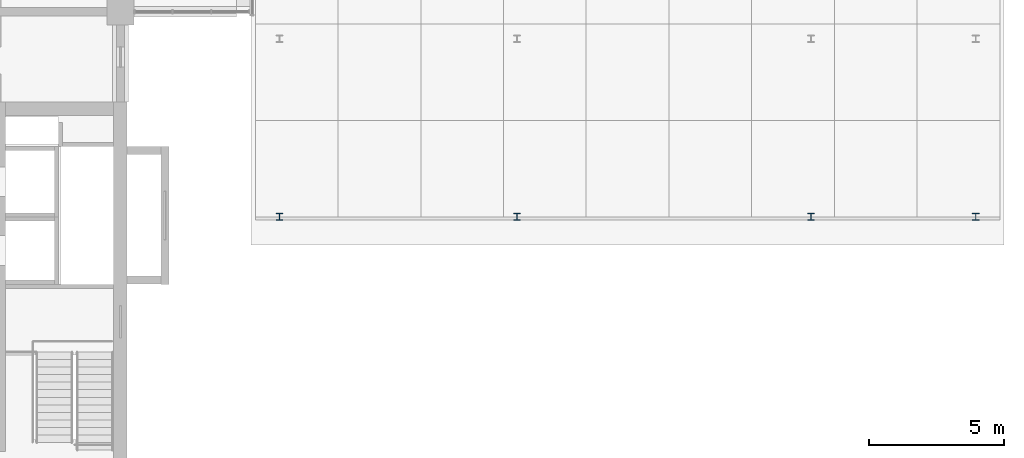
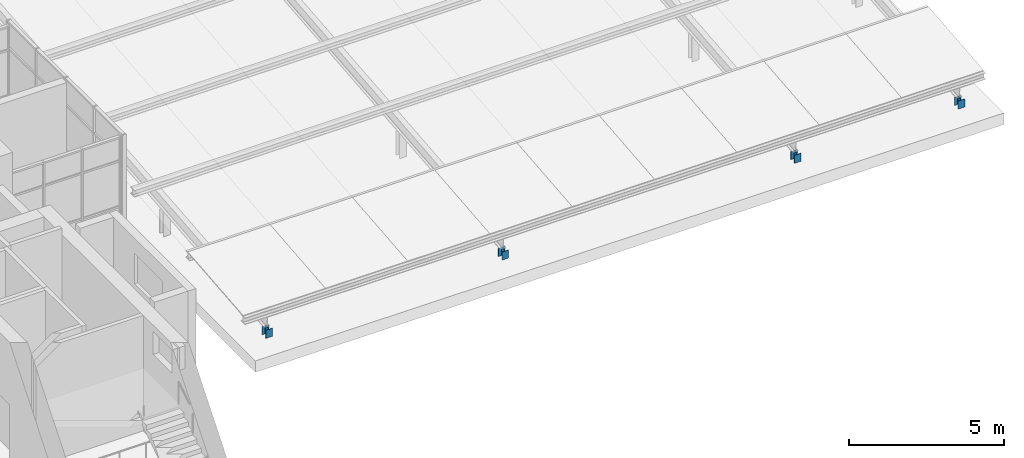
# One storey, part 28 of 44: 4 members.
"""IFC4 building model written with IfcOpenShell, lengths in metres."""

from ifc_helpers import new_model, si_unit, direction, frame, origin, origin_2d, place, context, subcontext, project, spatial, i_section, extrude, material, material_profile, profile_set, type_object, element, save


model = new_model("IFC4")

# Units and contexts
model_context = context("Model", 3, precision=1e-05, world=origin(), true_north=direction((0.0, 1.0)))
body_context = subcontext(model_context, "Body", "Model", "MODEL_VIEW")
ifc_project = project(units=[si_unit("LENGTHUNIT", "METRE"), si_unit("AREAUNIT", "SQUARE_METRE"), si_unit("VOLUMEUNIT", "CUBIC_METRE"), si_unit("PLANEANGLEUNIT", "RADIAN"), si_unit("MASSUNIT", "GRAM", prefix="KILO")], contexts=[model_context])

# Site, building, storey
site_placement = place(None, origin())
site = spatial("IfcSite", under=ifc_project, at=site_placement, CompositionType="ELEMENT")
building_placement = place(site_placement, origin())
building = spatial("IfcBuilding", under=site, at=building_placement, Name="Basin Gate Institute", CompositionType="ELEMENT")
storey_placement = place(building_placement, frame((0.0, 0.0, 27.0)))
storey = spatial("IfcBuildingStorey", under=building, at=storey_placement, Name="L05", CompositionType="ELEMENT", Elevation=27.0)

# Members
ifc_material = material(Name="Structural steel SN490", Category="steel")
ifc_material_profile = material_profile(ifc_material, i_section(OverallWidth=0.25, OverallDepth=0.25, WebThickness=0.009033203125, FlangeThickness=0.013916015625, FilletRadius=0.01611328125, at=origin_2d()), Name="H250x250")
ifc_profile_set = profile_set([ifc_material_profile], Name="Structural steel SN490")
member_type = type_object("IfcMemberType", Name="Umbrella post TC3 R120", PredefinedType="POST", material=ifc_profile_set)
for number, where, z_axis, x_axis, name in (
    (1, (124.699951171875, 70.699951171875, 0.0), (0.0, 0.0, 1.0), (1.0, 0.0, 0.0), "Umbrella roof post 1/1"),
    (2, (133.5, 70.699951171875, 0.0), (0.0, 0.0, 1.0), (1.0, 0.0, 0.0), "Umbrella roof post 2/1"),
    (3, (144.39990234375, 70.699951171875, 0.0), (0.0, 0.0, 1.0), (1.0, 0.0, 0.0), "Umbrella roof post 3/1"),
    (4, (150.5, 70.699951171875, 0.0), (0.0, 0.0, 1.0), (1.0, 0.0, 0.0), "Umbrella roof post 4/1"),
):
    element("IfcMember", number, at=place(storey_placement, frame(where, z_axis=z_axis, x_axis=x_axis)), inside=storey, type_object=member_type, material=ifc_profile_set, Name=name, PredefinedType="POST", context=body_context, shape_type="SweptSolid", body=[
        extrude(i_section(OverallWidth=0.25, OverallDepth=0.25, WebThickness=0.009033203125, FlangeThickness=0.013916015625, FilletRadius=0.01611328125, at=origin_2d()), origin(), (0.0, 0.0, 1.0), 0.315673828125),
    ])

save(model, "model.ifc")
